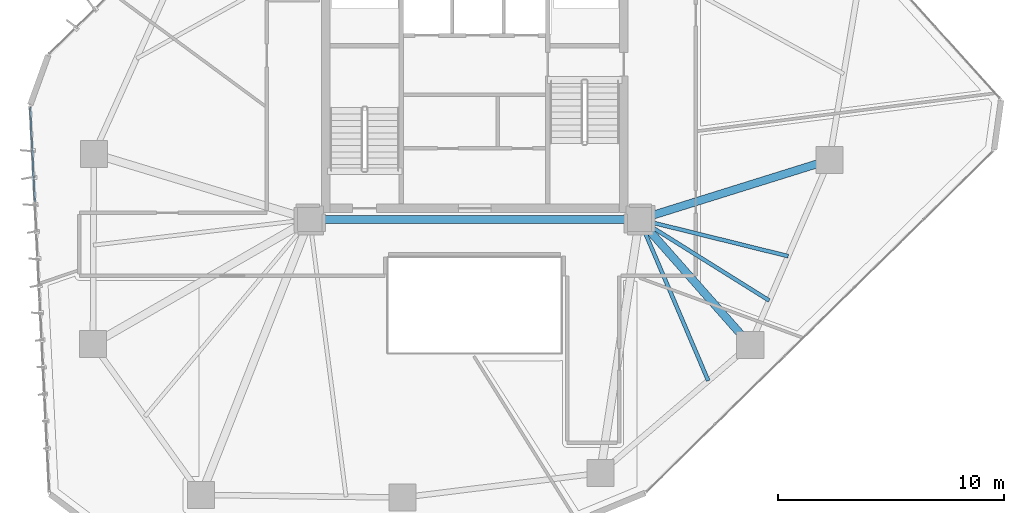
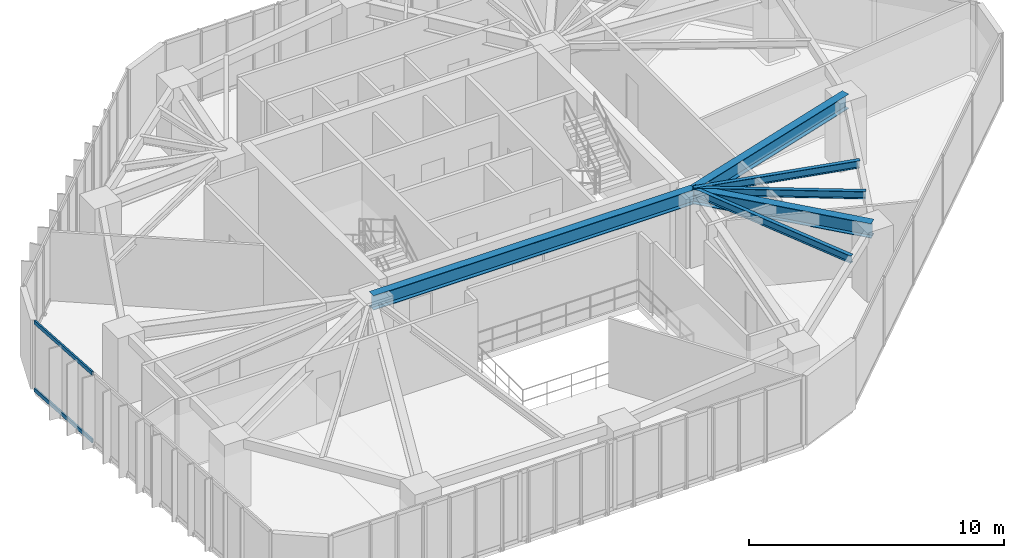
# One storey, part 8 of 21: 6 beams, 2 members, 1 element without a shape of its own.
"""IFC4 building model written with IfcOpenShell, lengths in metres."""

from ifc_helpers import new_model, si_unit, direction, frame, origin, origin_2d, place, context, subcontext, project, spatial, hollow_rectangle, i_section, extrude, source, transform, mapped, material, layer, layer_set, material_profile, profile_set, type_object, type_shapes, element, aggregate, save


model = new_model("IFC4")

# Units and contexts
model_context = context("Model", 3, precision=1e-05, world=origin(), true_north=direction((0.0, 1.0)))
body_context = subcontext(model_context, "Body", "Model", "MODEL_VIEW")
ifc_project = project(units=[si_unit("LENGTHUNIT", "METRE"), si_unit("AREAUNIT", "SQUARE_METRE"), si_unit("VOLUMEUNIT", "CUBIC_METRE"), si_unit("PLANEANGLEUNIT", "RADIAN"), si_unit("MASSUNIT", "GRAM", prefix="KILO")], contexts=[model_context])

# Site, building, storey
site_placement = place(None, origin())
site = spatial("IfcSite", under=ifc_project, at=site_placement, CompositionType="ELEMENT")
building_placement = place(site_placement, origin())
building = spatial("IfcBuilding", under=site, at=building_placement, Name="Talar Marvaseh", CompositionType="ELEMENT")
storey_placement = place(building_placement, frame((0.0, 0.0, 93.0)))
storey = spatial("IfcBuildingStorey", under=building, at=storey_placement, Name="L23", CompositionType="ELEMENT", Elevation=93.0)

# Beams
ifc_material_1 = material(Name="Steel S355", Category="steel")
ifc_material_profile_1 = material_profile(ifc_material_1, i_section(OverallWidth=0.35498046875, OverallDepth=0.695068359375, WebThickness=0.015380859375, FlangeThickness=0.02490234375, at=origin_2d()), Name="W690x217")
ifc_profile_set_1 = profile_set([ifc_material_profile_1], Name="Steel S355")
beam_type_1 = type_object("IfcBeamType", Name="Zone 2 Radial Floor Girder W690x217", PredefinedType="BEAM", material=ifc_profile_set_1)
beam_1_placement = place(storey_placement, frame((18.699951171875, 25.5, 2.96240234375), z_axis=(1.0, 0.0, 0.0), x_axis=(0.0, 1.0, 0.0)))
element("IfcBeam", 1, at=beam_1_placement, inside=storey, type_object=beam_type_1, Name="L23 Zone 2 Radial Floor Girder W690x217", PredefinedType="BEAM", context=body_context, shape_type="SweptSolid", body=[
    extrude(i_section(OverallWidth=0.35498046875, OverallDepth=0.695068359375, WebThickness=0.015380859375, FlangeThickness=0.02490234375, at=origin_2d()), origin(), (0.0, 0.0, 1.0), 14.60009765625),
])
beam_2_placement = place(storey_placement, frame((41.708984375, 28.1279296875, 2.96240234375), z_axis=(-0.954475540106, -0.298289194138, 0.0), x_axis=(0.298289194138, -0.954475540106, 0.0)))
element("IfcBeam", 2, at=beam_2_placement, inside=storey, type_object=beam_type_1, Name="L23 Zone 2 Radial Floor Girder W690x217", PredefinedType="BEAM", context=body_context, shape_type="SweptSolid", body=[
    extrude(i_section(OverallWidth=0.35498046875, OverallDepth=0.695068359375, WebThickness=0.015380859375, FlangeThickness=0.02490234375, at=origin_2d()), origin(), (0.0, 0.0, 1.0), 8.81005859375),
])
beam_3_placement = place(storey_placement, frame((38.2060546875, 19.94091796875, 2.96240234375), z_axis=(-0.661692423388, 0.749775390921, 0.0), x_axis=(-0.749775390921, -0.661692423388, 0.0)))
element("IfcBeam", 3, at=beam_3_placement, inside=storey, type_object=beam_type_1, Name="L23 Zone 2 Radial Floor Girder W690x217", PredefinedType="BEAM", context=body_context, shape_type="SweptSolid", body=[
    extrude(i_section(OverallWidth=0.35498046875, OverallDepth=0.695068359375, WebThickness=0.015380859375, FlangeThickness=0.02490234375, at=origin_2d()), origin(), (0.0, 0.0, 1.0), 7.414306640625),
])
ifc_material_profile_2 = material_profile(ifc_material_1, i_section(OverallWidth=0.172119140625, OverallDepth=0.35791015625, WebThickness=0.0078125, FlangeThickness=0.01318359375, at=origin_2d()), Name="W360x57")
ifc_profile_set_2 = profile_set([ifc_material_profile_2], Name="Steel S355")
beam_type_2 = type_object("IfcBeamType", Name="Zone 2 Secondary Floor Joist W360x57", PredefinedType="JOIST", material=ifc_profile_set_2)
beam_4_placement = place(storey_placement, frame((39.887451171875, 23.870849609375, 3.131103515625), z_axis=(-0.970753133019, 0.240079892396, 0.0), x_axis=(-0.240079892396, -0.970753133019, 0.0)))
element("IfcBeam", 4, at=beam_4_placement, inside=storey, type_object=beam_type_2, Name="L23 Zone 2 Secondary Floor Joist W360x57", PredefinedType="JOIST", context=body_context, shape_type="SweptSolid", body=[
    extrude(i_section(OverallWidth=0.172119140625, OverallDepth=0.35791015625, WebThickness=0.0078125, FlangeThickness=0.01318359375, at=origin_2d()), origin(), (0.0, 0.0, 1.0), 6.785888671875),
])
beam_5_placement = place(storey_placement, frame((39.046630859375, 21.906005859375, 3.131103515625), z_axis=(-0.84784042564, 0.530251461715, 0.0), x_axis=(-0.530251461715, -0.84784042564, 0.0)))
element("IfcBeam", 5, at=beam_5_placement, inside=storey, type_object=beam_type_2, Name="L23 Zone 2 Secondary Floor Joist W360x57", PredefinedType="JOIST", context=body_context, shape_type="SweptSolid", body=[
    extrude(i_section(OverallWidth=0.172119140625, OverallDepth=0.35791015625, WebThickness=0.0078125, FlangeThickness=0.01318359375, at=origin_2d()), origin(), (0.0, 0.0, 1.0), 6.77783203125),
])
beam_6_placement = place(storey_placement, frame((36.347900390625, 18.3525390625, 3.131103515625), z_axis=(-0.39225012708, 0.919858596636, 0.0), x_axis=(-0.919858596636, -0.39225012708, 0.0)))
element("IfcBeam", 6, at=beam_6_placement, inside=storey, type_object=beam_type_2, Name="L23 Zone 2 Secondary Floor Joist W360x57", PredefinedType="JOIST", context=body_context, shape_type="SweptSolid", body=[
    extrude(i_section(OverallWidth=0.172119140625, OverallDepth=0.35791015625, WebThickness=0.0078125, FlangeThickness=0.01318359375, at=origin_2d()), origin(), (0.0, 0.0, 1.0), 7.770263671875),
])

# Curtain wall, members
ifc_material_2 = material(Name="Architectural Aluminium", Category="aluminium")
ifc_layer = layer(ifc_material_2, 0.199951171875)
ifc_layer_set = layer_set([ifc_layer], Name="Architectural Aluminium")
curtain_wall_type = type_object("IfcCurtainWallType", Name="Unitised Acoustic Library Curtain Wall Z2", PredefinedType="NOTDEFINED", material=ifc_layer_set)
curtain_wall_placement = place(storey_placement, origin())
curtain_wall = element("IfcCurtainWall", 7, at=curtain_wall_placement, inside=storey, type_object=curtain_wall_type, Name="L23 Unitised Acoustic Library Curtain Wall Z2", PredefinedType="NOTDEFINED")
ifc_material_profile_3 = material_profile(ifc_material_2, hollow_rectangle(XDim=0.074951171875, YDim=0.179931640625, WallThickness=0.0048828125, at=origin_2d()), Name="RHS180x75x5")
ifc_profile_set_3 = profile_set([ifc_material_profile_3], Name="Architectural Aluminium")
member_type = type_object("IfcMemberType", Name="Unitised Curtain Wall Transom RHS180x75x5", PredefinedType="USERDEFINED", material=ifc_profile_set_3)
shared_shape = source(origin(), body_context, "Body", "SweptSolid", [
    extrude(hollow_rectangle(XDim=0.074951171875, YDim=0.179931640625, WallThickness=0.0048828125, at=origin_2d()), origin(), (0.0, 0.0, 1.0), 4.185302734375),
])
type_shapes(member_type, [shared_shape])
member_1_placement = place(storey_placement, frame((6.528564453125, 26.290283203125, 0.03759765625), z_axis=(-0.049640861448, 0.998767132456, 0.0), x_axis=(-0.998767132456, -0.049640861448, 0.0)))
member_1 = element("IfcMember", 8, at=member_1_placement, type_object=member_type, Name="CW-Z2 transom 4.1", ObjectType="TRANSOM", PredefinedType="USERDEFINED", context=body_context, shape_type="MappedRepresentation", body=[
    mapped(shared_shape, transform((0.0, 0.0, 0.0), x_axis=(1.0, 0.0, 0.0), y_axis=(0.0, 1.0, 0.0), z_axis=(0.0, 0.0, 1.0), scale=1.0)),
])
member_2_placement = place(storey_placement, frame((6.528564453125, 26.290283203125, 3.2724609375), z_axis=(-0.049640861448, 0.998767132456, 0.0), x_axis=(-0.998767132456, -0.049640861448, 0.0)))
member_2 = element("IfcMember", 9, at=member_2_placement, type_object=member_type, Name="CW-Z2 transom 4.2", ObjectType="TRANSOM", PredefinedType="USERDEFINED", context=body_context, shape_type="MappedRepresentation", body=[
    mapped(shared_shape, transform((0.0, 0.0, 0.0), x_axis=(1.0, 0.0, 0.0), y_axis=(0.0, 1.0, 0.0), z_axis=(0.0, 0.0, 1.0), scale=1.0)),
])
aggregate(curtain_wall, [member_1, member_2])

save(model, "model.ifc")
